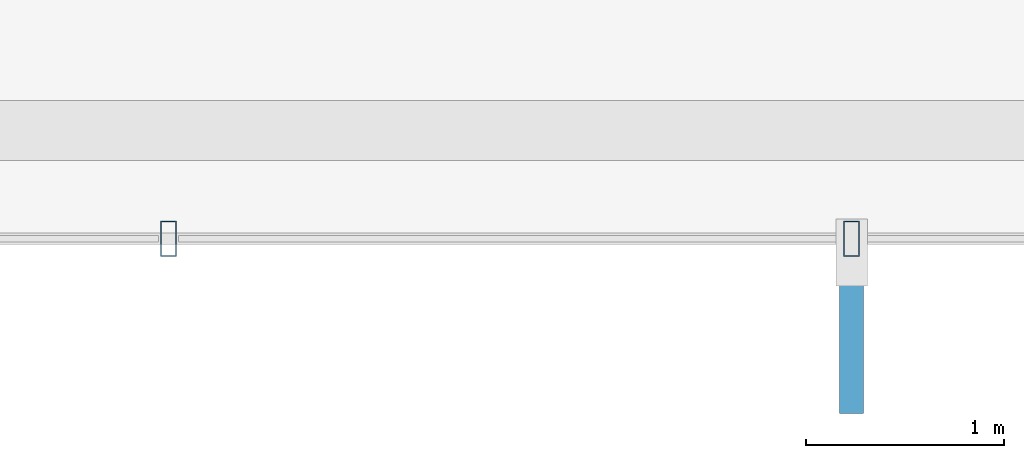
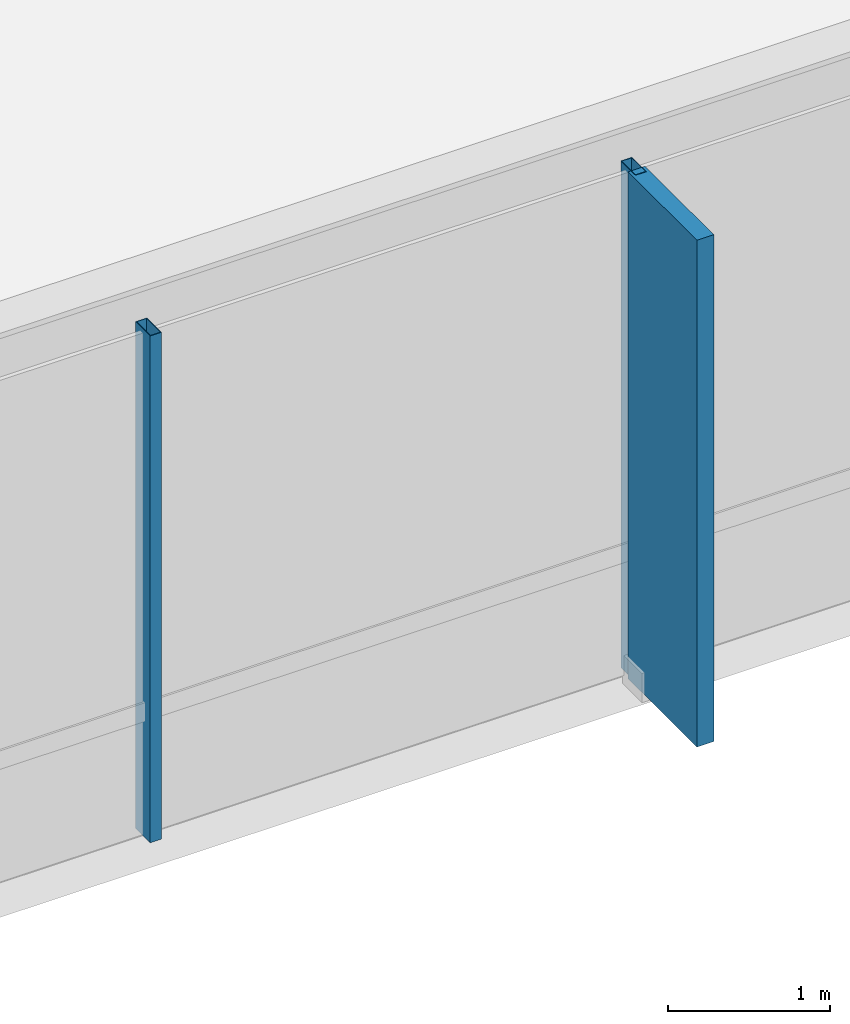
# One storey, part 8 of 24: 3 members, 1 element without a shape of its own.
"""IFC4 building model written with IfcOpenShell, lengths in metres."""

from ifc_helpers import new_model, si_unit, direction, frame, origin, origin_2d, place, context, subcontext, project, spatial, rectangle, hollow_rectangle, extrude, material, layer, layer_set, material_profile, profile_set, type_object, element, aggregate, save


model = new_model("IFC4")

# Units and contexts
model_context = context("Model", 3, precision=1e-05, world=origin(), true_north=direction((0.0, 1.0)))
body_context = subcontext(model_context, "Body", "Model", "MODEL_VIEW")
ifc_project = project(units=[si_unit("LENGTHUNIT", "METRE"), si_unit("AREAUNIT", "SQUARE_METRE"), si_unit("VOLUMEUNIT", "CUBIC_METRE"), si_unit("PLANEANGLEUNIT", "RADIAN"), si_unit("MASSUNIT", "GRAM", prefix="KILO")], contexts=[model_context])

# Site, building, storey
site_placement = place(None, origin())
site = spatial("IfcSite", under=ifc_project, at=site_placement, CompositionType="ELEMENT")
building_placement = place(site_placement, origin())
building = spatial("IfcBuilding", under=site, at=building_placement, Name="Zarrinselat Tower", CompositionType="ELEMENT")
storey_placement = place(building_placement, frame((0.0, 0.0, 68.340087890625)))
storey = spatial("IfcBuildingStorey", under=building, at=storey_placement, Name="L16", CompositionType="ELEMENT", Elevation=68.340087890625)

# Curtain wall, members
ifc_material_1 = material(Name="Extruded Aluminium Alloy EN AW-6063 T6", Category="aluminium")
ifc_layer = layer(ifc_material_1, 0.18505859375)
ifc_layer_set = layer_set([ifc_layer], Name="Extruded Aluminium Alloy EN AW-6063 T6")
curtain_wall_type = type_object("IfcCurtainWallType", Name="CWS-OFF", PredefinedType="NOTDEFINED", material=ifc_layer_set)
curtain_wall_placement = place(storey_placement, origin())
curtain_wall = element("IfcCurtainWall", 1, at=curtain_wall_placement, inside=storey, type_object=curtain_wall_type, Name="L16 Unitised Curtain Wall CW-L16-E05", PredefinedType="NOTDEFINED")
ifc_material_2 = material(Name="Extruded Aluminium Alloy EN AW-6063 T6", Category="aluminium")
ifc_material_profile_1 = material_profile(ifc_material_2, hollow_rectangle(XDim=0.080078125, YDim=0.179931640625, WallThickness=0.0048828125, at=origin_2d()), Name="RHS 180x80x5")
ifc_profile_set_1 = profile_set([ifc_material_profile_1], Name="Extruded Aluminium Alloy EN AW-6063 T6")
member_type_1 = type_object("IfcMemberType", Name="MEM-CW-MUL", PredefinedType="MULLION", material=ifc_profile_set_1)
member_1_placement = place(storey_placement, frame((45.31689453125, 18.70654296875, 0.0), z_axis=(0.0, 0.0, 1.0), x_axis=(-1.0, 0.0, 0.0)))
member_1 = element("IfcMember", 2, at=member_1_placement, type_object=member_type_1, Name="CW-L16-E05 Mullion 1", PredefinedType="MULLION", context=body_context, shape_type="SweptSolid", body=[
    extrude(hollow_rectangle(XDim=0.080078125, YDim=0.179931640625, WallThickness=0.0048828125, at=origin_2d()), origin(), (0.0, 0.0, 1.0), 3.81982421875),
])
member_2_placement = place(storey_placement, frame((41.8583984375, 18.70654296875, 0.0), z_axis=(0.0, 0.0, 1.0), x_axis=(-1.0, 0.0, 0.0)))
member_2 = element("IfcMember", 3, at=member_2_placement, type_object=member_type_1, Name="CW-L16-E05 Mullion 2", PredefinedType="MULLION", context=body_context, shape_type="SweptSolid", body=[
    extrude(hollow_rectangle(XDim=0.080078125, YDim=0.179931640625, WallThickness=0.0048828125, at=origin_2d()), origin(), (0.0, 0.0, 1.0), 3.81982421875),
])
ifc_material_3 = material(Name="Honed Cream Travertine Stone", Category="masonry")
ifc_material_profile_2 = material_profile(ifc_material_3, rectangle(XDim=0.1201171875, YDim=0.85009765625, at=origin_2d()), Name="FIN 850x120")
ifc_profile_set_2 = profile_set([ifc_material_profile_2], Name="Honed Cream Travertine Stone")
member_type_2 = type_object("IfcMemberType", Name="MEM-STONE-FIN", PredefinedType="USERDEFINED", material=ifc_profile_set_2)
member_3_placement = place(storey_placement, frame((45.31689453125, 18.24658203125, 0.0), z_axis=(0.0, 0.0, 1.0), x_axis=(-1.0, 0.0, 0.0)))
member_3 = element("IfcMember", 4, at=member_3_placement, type_object=member_type_2, Name="L16 Stone Shading Fin CW-L16-E05-01", ObjectType="FIN", PredefinedType="USERDEFINED", context=body_context, shape_type="SweptSolid", body=[
    extrude(rectangle(XDim=0.1201171875, YDim=0.85009765625, at=origin_2d()), origin(), (0.0, 0.0, 1.0), 3.81982421875),
])
aggregate(curtain_wall, [member_1, member_3, member_2])

save(model, "model.ifc")
